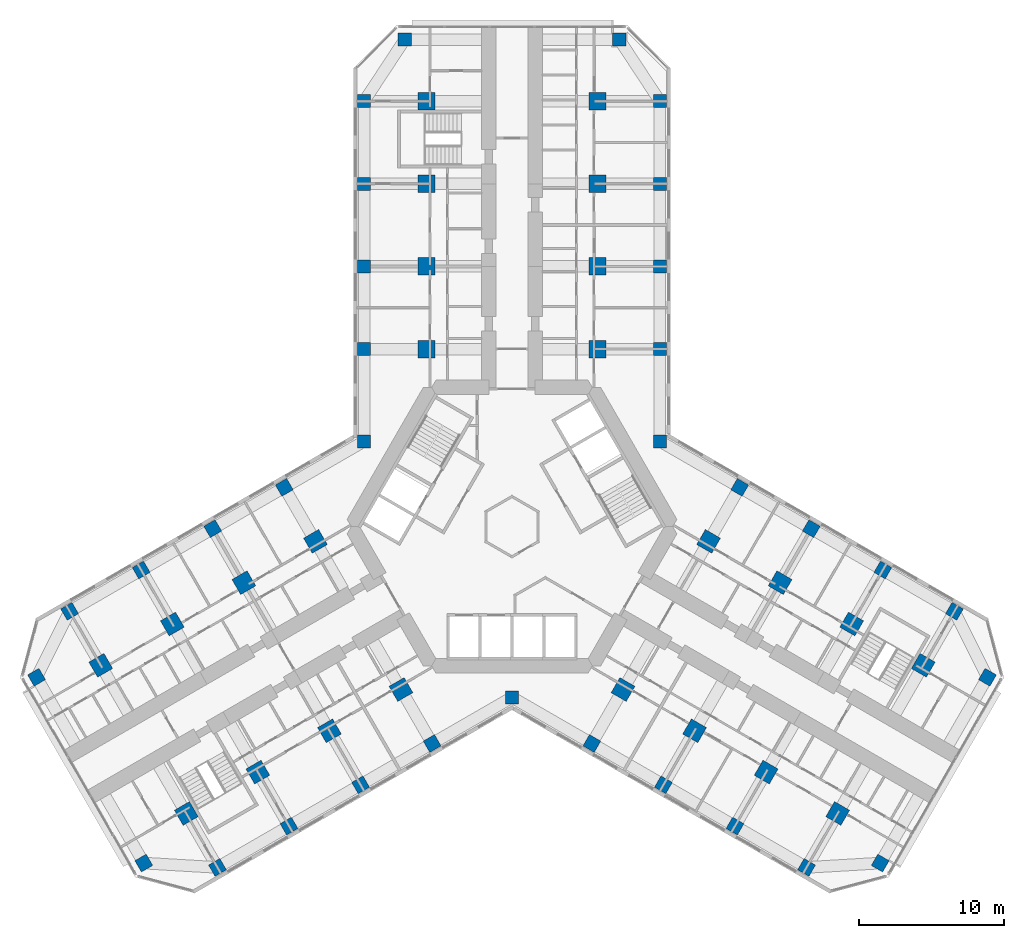
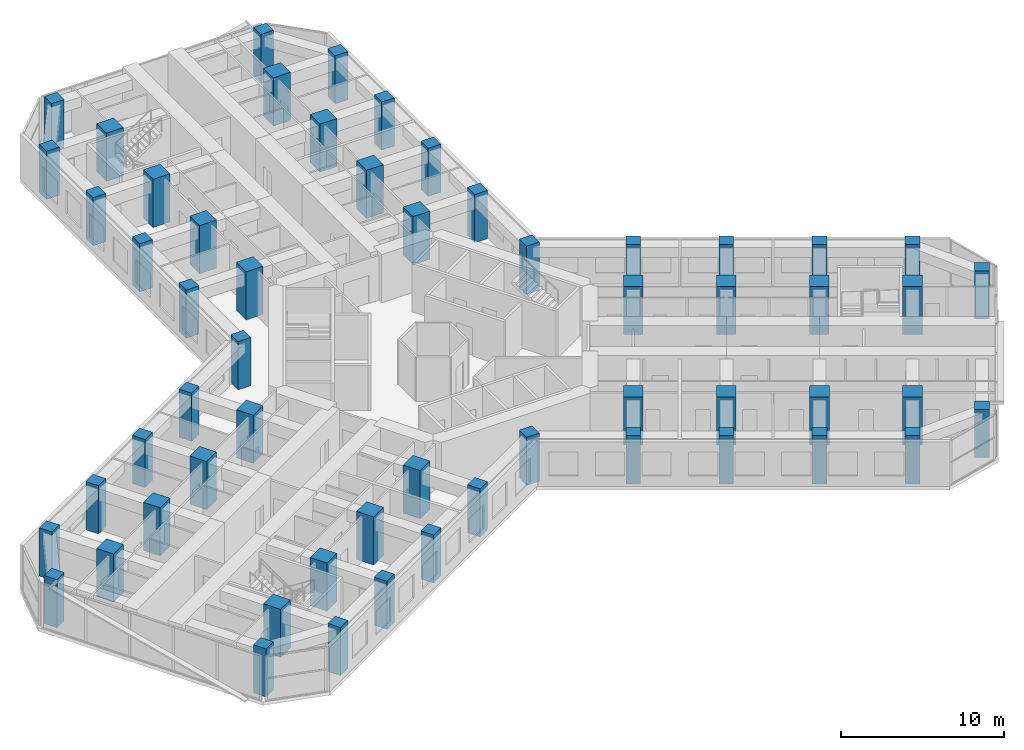
# One storey, part 1 of 21: 57 columns.
"""IFC4 building model written with IfcOpenShell, lengths in metres."""

from ifc_helpers import new_model, si_unit, direction, frame, origin, origin_2d, place, context, subcontext, project, spatial, rectangle, extrude, material, material_profile, profile_set, type_object, element, save


model = new_model("IFC4")

# Units and contexts
model_context = context("Model", 3, precision=1e-05, world=origin(), true_north=direction((0.0, 1.0)))
body_context = subcontext(model_context, "Body", "Model", "MODEL_VIEW")
ifc_project = project(units=[si_unit("LENGTHUNIT", "METRE"), si_unit("AREAUNIT", "SQUARE_METRE"), si_unit("VOLUMEUNIT", "CUBIC_METRE"), si_unit("PLANEANGLEUNIT", "RADIAN"), si_unit("MASSUNIT", "GRAM", prefix="KILO")], contexts=[model_context])

# Site, building, storey
site_placement = place(None, origin())
site = spatial("IfcSite", under=ifc_project, at=site_placement, CompositionType="ELEMENT")
building_placement = place(site_placement, origin())
building = spatial("IfcBuilding", under=site, at=building_placement, Name="Kosmar Iwan School Tower", CompositionType="ELEMENT")
storey_placement = place(building_placement, frame((0.0, 0.0, 80.800048828125)))
storey = spatial("IfcBuildingStorey", under=building, at=storey_placement, Name="L19", CompositionType="ELEMENT", Elevation=80.800048828125)

# Columns
ifc_material_1 = material(Name="Concrete C50/60", Category="concrete")
ifc_material_profile_1 = material_profile(ifc_material_1, rectangle(XDim=0.89990234375, YDim=0.89990234375, at=origin_2d()), Name="RC 900x900 + HD 400x634")
ifc_profile_set_1 = profile_set([ifc_material_profile_1], Name="Concrete C50/60")
column_type_1 = type_object("IfcColumnType", Name="Composite column 900x900 HD 400x634", PredefinedType="COLUMN", material=ifc_profile_set_1)
for number, where, z_axis, x_axis, name in (
    (1, (-10.199951171875, 12.25, 0.0), (0.0, 0.0, 1.0), (0.0, 1.0, 0.0), "Column AL1 L19"),
    (2, (-10.199951171875, 17.949951171875, 0.0), (0.0, 0.0, 1.0), (0.0, 1.0, 0.0), "Column AL2 L19"),
    (3, (-10.199951171875, 23.64990234375, 0.0), (0.0, 0.0, 1.0), (0.0, 1.0, 0.0), "Column AL3 L19"),
    (4, (-10.199951171875, 29.35009765625, 0.0), (0.0, 0.0, 1.0), (0.0, 1.0, 0.0), "Column AL4 L19"),
    (5, (-7.39990234375, 33.60009765625, 0.0), (0.0, 0.0, 1.0), (0.0, 1.0, 0.0), "Column ALTIP L19"),
    (6, (10.199951171875, 12.25, 0.0), (0.0, 0.0, 1.0), (0.0, 1.0, 0.0), "Column AR1 L19"),
    (7, (10.199951171875, 17.949951171875, 0.0), (0.0, 0.0, 1.0), (0.0, 1.0, 0.0), "Column AR2 L19"),
    (8, (10.199951171875, 23.64990234375, 0.0), (0.0, 0.0, 1.0), (0.0, 1.0, 0.0), "Column AR3 L19"),
    (9, (10.199951171875, 29.35009765625, 0.0), (0.0, 0.0, 1.0), (0.0, 1.0, 0.0), "Column AR4 L19"),
    (10, (7.39990234375, 33.60009765625, 0.0), (0.0, 0.0, 1.0), (0.0, 1.0, 0.0), "Column ARTIP L19"),
    (11, (-5.5087890625, -14.95849609375, 0.0), (0.0, 0.0, 1.0), (-0.866025403784, -0.5, 0.0), "Column BL1 L19"),
    (12, (-10.445068359375, -17.808349609375, 0.0), (0.0, 0.0, 1.0), (-0.866025403784, -0.5, 0.0), "Column BL2 L19"),
    (13, (-15.381591796875, -20.658447265625, 0.0), (0.0, 0.0, 1.0), (-0.866025403784, -0.5, 0.0), "Column BL3 L19"),
    (14, (-20.31787109375, -23.508544921875, 0.0), (0.0, 0.0, 1.0), (-0.866025403784, -0.5, 0.0), "Column BL4 L19"),
    (15, (-25.3984375, -23.20849609375, 0.0), (0.0, 0.0, 1.0), (-0.866025403784, -0.5, 0.0), "Column BLTIP L19"),
    (16, (-15.708740234375, 2.70849609375, 0.0), (0.0, 0.0, 1.0), (-0.866025403784, -0.5, 0.0), "Column BR1 L19"),
    (17, (-20.645263671875, -0.1416015625, 0.0), (0.0, 0.0, 1.0), (-0.866025403784, -0.5, 0.0), "Column BR2 L19"),
    (18, (-25.58154296875, -2.991455078125, 0.0), (0.0, 0.0, 1.0), (-0.866025403784, -0.5, 0.0), "Column BR3 L19"),
    (19, (-30.517822265625, -5.841552734375, 0.0), (0.0, 0.0, 1.0), (-0.866025403784, -0.5, 0.0), "Column BR4 L19"),
    (20, (-32.79833984375, -10.391357421875, 0.0), (0.0, 0.0, 1.0), (-0.866025403784, -0.5, 0.0), "Column BRTIP L19"),
    (21, (15.708740234375, 2.70849609375, 0.0), (0.0, 0.0, 1.0), (0.866025403784, -0.5, 0.0), "Column CL1 L19"),
    (22, (20.645263671875, -0.1416015625, 0.0), (0.0, 0.0, 1.0), (0.866025403784, -0.5, 0.0), "Column CL2 L19"),
    (23, (25.58154296875, -2.991455078125, 0.0), (0.0, 0.0, 1.0), (0.866025403784, -0.5, 0.0), "Column CL3 L19"),
    (24, (30.517822265625, -5.841552734375, 0.0), (0.0, 0.0, 1.0), (0.866025403784, -0.5, 0.0), "Column CL4 L19"),
    (25, (32.79833984375, -10.391357421875, 0.0), (0.0, 0.0, 1.0), (0.866025403784, -0.5, 0.0), "Column CLTIP L19"),
    (26, (5.5087890625, -14.95849609375, 0.0), (0.0, 0.0, 1.0), (0.866025403784, -0.5, 0.0), "Column CR1 L19"),
    (27, (10.445068359375, -17.808349609375, 0.0), (0.0, 0.0, 1.0), (0.866025403784, -0.5, 0.0), "Column CR2 L19"),
    (28, (15.381591796875, -20.658447265625, 0.0), (0.0, 0.0, 1.0), (0.866025403784, -0.5, 0.0), "Column CR3 L19"),
    (29, (20.31787109375, -23.508544921875, 0.0), (0.0, 0.0, 1.0), (0.866025403784, -0.5, 0.0), "Column CR4 L19"),
    (30, (25.3984375, -23.20849609375, 0.0), (0.0, 0.0, 1.0), (0.866025403784, -0.5, 0.0), "Column CRTIP L19"),
    (31, (-10.199951171875, 5.888916015625, 0.0), (0.0, 0.0, 1.0), (1.0, 0.0, 0.0), "Column RAB L19"),
    (32, (10.199951171875, 5.888916015625, 0.0), (0.0, 0.0, 1.0), (1.0, 0.0, 0.0), "Column RAC L19"),
    (33, (0.0, -11.77783203125, 0.0), (0.0, 0.0, 1.0), (1.0, 0.0, 0.0), "Column RBC L19"),
):
    element("IfcColumn", number, at=place(storey_placement, frame(where, z_axis=z_axis, x_axis=x_axis)), inside=storey, type_object=column_type_1, Name=name, PredefinedType="COLUMN", context=body_context, shape_type="SweptSolid", body=[
        extrude(rectangle(XDim=0.89990234375, YDim=0.89990234375, at=origin_2d()), origin(), (0.0, 0.0, 1.0), 3.599853515625),
    ])
ifc_material_2 = material(Name="Concrete C50/60", Category="concrete")
ifc_material_profile_2 = material_profile(ifc_material_2, rectangle(XDim=1.199951171875, YDim=1.199951171875, at=origin_2d()), Name="RC 1200x1200")
ifc_profile_set_2 = profile_set([ifc_material_profile_2], Name="Concrete C50/60")
column_type_2 = type_object("IfcColumnType", Name="RC interior column 1200x1200", PredefinedType="COLUMN", material=ifc_profile_set_2)
for number, where, z_axis, x_axis, name in (
    (34, (-5.89990234375, 12.25, 0.0), (0.0, 0.0, 1.0), (0.0, 1.0, 0.0), "Interior column ALI1 L19"),
    (35, (-5.89990234375, 17.949951171875, 0.0), (0.0, 0.0, 1.0), (0.0, 1.0, 0.0), "Interior column ALI2 L19"),
    (36, (-5.89990234375, 23.64990234375, 0.0), (0.0, 0.0, 1.0), (0.0, 1.0, 0.0), "Interior column ALI3 L19"),
    (37, (-5.89990234375, 29.35009765625, 0.0), (0.0, 0.0, 1.0), (0.0, 1.0, 0.0), "Interior column ALI4 L19"),
    (38, (5.89990234375, 12.25, 0.0), (0.0, 0.0, 1.0), (0.0, 1.0, 0.0), "Interior column ARI1 L19"),
    (39, (5.89990234375, 17.949951171875, 0.0), (0.0, 0.0, 1.0), (0.0, 1.0, 0.0), "Interior column ARI2 L19"),
    (40, (5.89990234375, 23.64990234375, 0.0), (0.0, 0.0, 1.0), (0.0, 1.0, 0.0), "Interior column ARI3 L19"),
    (41, (5.89990234375, 29.35009765625, 0.0), (0.0, 0.0, 1.0), (0.0, 1.0, 0.0), "Interior column ARI4 L19"),
    (42, (-7.65869140625, -11.234619140625, 0.0), (0.0, 0.0, 1.0), (-0.866025403784, -0.5, 0.0), "Interior column BLI1 L19"),
    (43, (-12.59521484375, -14.08447265625, 0.0), (0.0, 0.0, 1.0), (-0.866025403784, -0.5, 0.0), "Interior column BLI2 L19"),
    (44, (-17.531494140625, -16.9345703125, 0.0), (0.0, 0.0, 1.0), (-0.866025403784, -0.5, 0.0), "Interior column BLI3 L19"),
    (45, (-22.4677734375, -19.78466796875, 0.0), (0.0, 0.0, 1.0), (-0.866025403784, -0.5, 0.0), "Interior column BLI4 L19"),
    (46, (-13.558837890625, -1.015380859375, 0.0), (0.0, 0.0, 1.0), (-0.866025403784, -0.5, 0.0), "Interior column BRI1 L19"),
    (47, (-18.4951171875, -3.865478515625, 0.0), (0.0, 0.0, 1.0), (-0.866025403784, -0.5, 0.0), "Interior column BRI2 L19"),
    (48, (-23.431396484375, -6.71533203125, 0.0), (0.0, 0.0, 1.0), (-0.866025403784, -0.5, 0.0), "Interior column BRI3 L19"),
    (49, (-28.367919921875, -9.5654296875, 0.0), (0.0, 0.0, 1.0), (-0.866025403784, -0.5, 0.0), "Interior column BRI4 L19"),
    (50, (13.558837890625, -1.015380859375, 0.0), (0.0, 0.0, 1.0), (0.866025403784, -0.5, 0.0), "Interior column CLI1 L19"),
    (51, (18.4951171875, -3.865478515625, 0.0), (0.0, 0.0, 1.0), (0.866025403784, -0.5, 0.0), "Interior column CLI2 L19"),
    (52, (23.431396484375, -6.71533203125, 0.0), (0.0, 0.0, 1.0), (0.866025403784, -0.5, 0.0), "Interior column CLI3 L19"),
    (53, (28.367919921875, -9.5654296875, 0.0), (0.0, 0.0, 1.0), (0.866025403784, -0.5, 0.0), "Interior column CLI4 L19"),
    (54, (7.65869140625, -11.234619140625, 0.0), (0.0, 0.0, 1.0), (0.866025403784, -0.5, 0.0), "Interior column CRI1 L19"),
    (55, (12.59521484375, -14.08447265625, 0.0), (0.0, 0.0, 1.0), (0.866025403784, -0.5, 0.0), "Interior column CRI2 L19"),
    (56, (17.531494140625, -16.9345703125, 0.0), (0.0, 0.0, 1.0), (0.866025403784, -0.5, 0.0), "Interior column CRI3 L19"),
    (57, (22.4677734375, -19.78466796875, 0.0), (0.0, 0.0, 1.0), (0.866025403784, -0.5, 0.0), "Interior column CRI4 L19"),
):
    element("IfcColumn", number, at=place(storey_placement, frame(where, z_axis=z_axis, x_axis=x_axis)), inside=storey, type_object=column_type_2, Name=name, PredefinedType="COLUMN", context=body_context, shape_type="SweptSolid", body=[
        extrude(rectangle(XDim=1.199951171875, YDim=1.199951171875, at=origin_2d()), origin(), (0.0, 0.0, 1.0), 3.599853515625),
    ])

save(model, "model.ifc")
